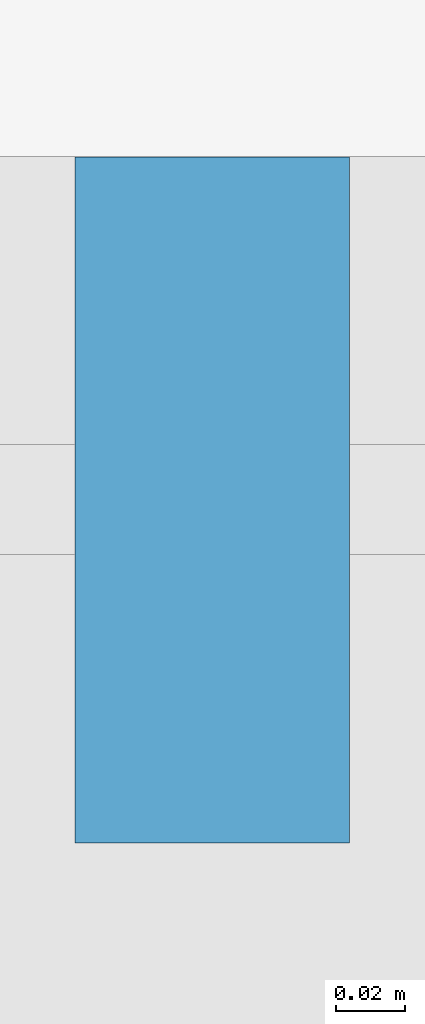
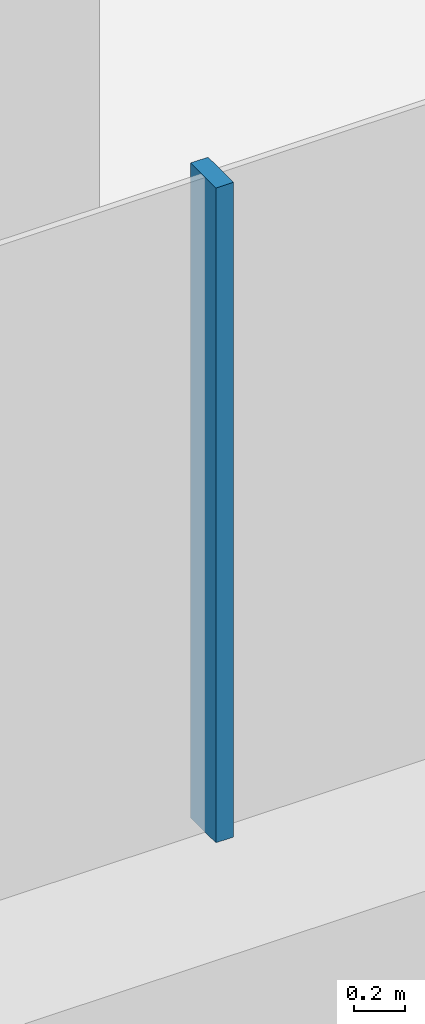
# One storey, part 7 of 38: 1 member, 1 element without a shape of its own.
"""IFC4 building model written with IfcOpenShell, lengths in metres."""

from ifc_helpers import new_model, si_unit, direction, frame, origin, origin_2d, place, context, subcontext, project, spatial, rectangle, extrude, material, layer, layer_set, material_profile, profile_set, type_object, element, aggregate, save


model = new_model("IFC4")

# Units and contexts
model_context = context("Model", 3, precision=1e-05, world=origin(), true_north=direction((0.0, 1.0)))
body_context = subcontext(model_context, "Body", "Model", "MODEL_VIEW")
ifc_project = project(units=[si_unit("LENGTHUNIT", "METRE"), si_unit("AREAUNIT", "SQUARE_METRE"), si_unit("VOLUMEUNIT", "CUBIC_METRE"), si_unit("PLANEANGLEUNIT", "RADIAN"), si_unit("MASSUNIT", "GRAM", prefix="KILO")], contexts=[model_context])

# Site, building, storey
site_placement = place(None, origin())
site = spatial("IfcSite", under=ifc_project, at=site_placement, CompositionType="ELEMENT")
building_placement = place(site_placement, origin())
building = spatial("IfcBuilding", under=site, at=building_placement, Name="Tamarind Cross Interchange Tower", CompositionType="ELEMENT")
storey_placement = place(building_placement, frame((0.0, 0.0, 20.0)))
storey = spatial("IfcBuildingStorey", under=building, at=storey_placement, Name="L03", CompositionType="ELEMENT", Elevation=20.0)

# Curtain wall, member
ifc_material = material(Name="Aluminium 6063-T6", Category="aluminium")
ifc_layer = layer(ifc_material, 0.199951171875)
ifc_layer_set = layer_set([ifc_layer], Name="Aluminium 6063-T6")
curtain_wall_type = type_object("IfcCurtainWallType", Name="Podium shopfront and station curtain wall", PredefinedType="NOTDEFINED", material=ifc_layer_set)
curtain_wall_placement = place(storey_placement, origin())
curtain_wall = element("IfcCurtainWall", 1, at=curtain_wall_placement, inside=storey, type_object=curtain_wall_type, Name="CWS-L03-06", PredefinedType="NOTDEFINED")
ifc_material_profile = material_profile(ifc_material, rectangle(XDim=0.080078125, YDim=0.199951171875, at=origin_2d()), Name="Mullion CW3")
ifc_profile_set = profile_set([ifc_material_profile], Name="Aluminium 6063-T6")
member_type = type_object("IfcMemberType", Name="Mullion CW3", PredefinedType="MULLION", material=ifc_profile_set)
member_placement = place(storey_placement, frame((0.0, -56.800048828125, 1.39990234375), z_axis=(0.0, 0.0, 1.0), x_axis=(1.0, 0.0, 0.0)))
member = element("IfcMember", 2, at=member_placement, type_object=member_type, Name="CWM-L03-06-13", PredefinedType="MULLION", context=body_context, shape_type="SweptSolid", body=[
    extrude(rectangle(XDim=0.080078125, YDim=0.199951171875, at=origin_2d()), origin(), (0.0, 0.0, 1.0), 3.150146484375),
])
aggregate(curtain_wall, [member])

save(model, "model.ifc")
